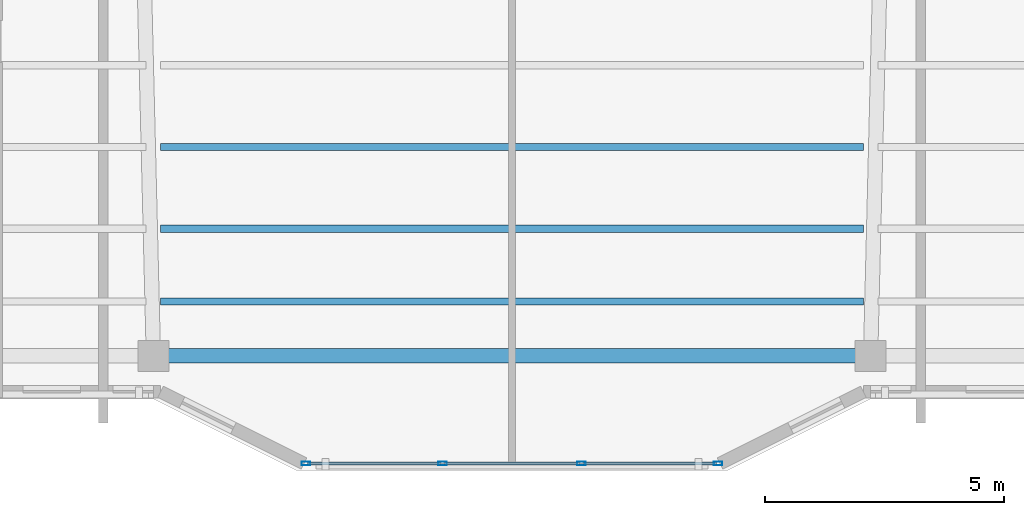
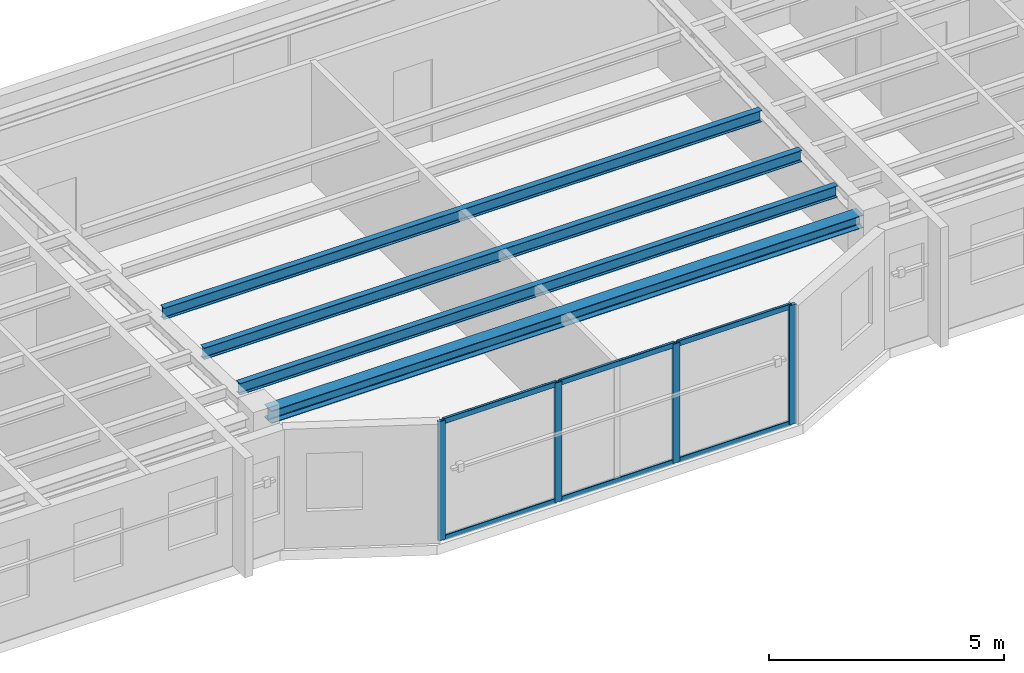
# One storey, part 2 of 14: 10 members, 4 beams, 1 element without a shape of its own.
"""IFC4 building model written with IfcOpenShell, lengths in metres."""

from ifc_helpers import new_model, si_unit, direction, frame, origin, origin_2d, place, context, subcontext, project, spatial, hollow_rectangle, i_section, extrude, material, layer, layer_set, material_profile, profile_set, type_object, element, aggregate, save


model = new_model("IFC4")

# Units and contexts
model_context = context("Model", 3, precision=1e-05, world=origin(), true_north=direction((0.0, 1.0)))
body_context = subcontext(model_context, "Body", "Model", "MODEL_VIEW")
ifc_project = project(units=[si_unit("LENGTHUNIT", "METRE"), si_unit("AREAUNIT", "SQUARE_METRE"), si_unit("VOLUMEUNIT", "CUBIC_METRE"), si_unit("PLANEANGLEUNIT", "RADIAN"), si_unit("MASSUNIT", "GRAM", prefix="KILO")], contexts=[model_context])

# Site, building, storey
site_placement = place(None, origin())
site = spatial("IfcSite", under=ifc_project, at=site_placement, CompositionType="ELEMENT")
building_placement = place(site_placement, origin())
building = spatial("IfcBuilding", under=site, at=building_placement, Name="Tarnavaz Court Tower", CompositionType="ELEMENT")
storey_placement = place(building_placement, frame((0.0, 0.0, 258.25)))
storey = spatial("IfcBuildingStorey", under=building, at=storey_placement, Name="L70", CompositionType="ELEMENT", Elevation=258.25)

# Beams
ifc_material_1 = material(Name="Steel S355", Category="steel")
ifc_material_profile_1 = material_profile(ifc_material_1, i_section(OverallWidth=0.14990234375, OverallDepth=0.300048828125, WebThickness=0.007080078125, FlangeThickness=0.0107421875, FilletRadius=0.014892578125, at=origin_2d()), Name="IPE 300")
ifc_profile_set_1 = profile_set([ifc_material_profile_1], Name="Steel S355")
beam_type_1 = type_object("IfcBeamType", Name="BM-J-IPE300", PredefinedType="JOIST", material=ifc_profile_set_1)
for number, where, z_axis, x_axis, name in (
    (1, (-7.35009765625, -15.72998046875, 2.949951171875), (1.0, 0.0, 0.0), (0.0, 1.0, 0.0), "L70 Beam JS3-2"),
    (2, (-7.35009765625, -17.43994140625, 2.949951171875), (1.0, 0.0, 0.0), (0.0, 1.0, 0.0), "L70 Beam JS4-2"),
    (3, (-7.35009765625, -18.9599609375, 2.949951171875), (1.0, 0.0, 0.0), (0.0, 1.0, 0.0), "L70 Beam JS5-2"),
):
    element("IfcBeam", number, at=place(storey_placement, frame(where, z_axis=z_axis, x_axis=x_axis)), inside=storey, type_object=beam_type_1, Name=name, PredefinedType="JOIST", context=body_context, shape_type="SweptSolid", body=[
        extrude(i_section(OverallWidth=0.14990234375, OverallDepth=0.300048828125, WebThickness=0.007080078125, FlangeThickness=0.0107421875, FilletRadius=0.014892578125, at=origin_2d()), origin(), (0.0, 0.0, 1.0), 14.7001953125),
    ])
ifc_material_profile_2 = material_profile(ifc_material_1, i_section(OverallWidth=0.300048828125, OverallDepth=0.330078125, WebThickness=0.009521484375, FlangeThickness=0.0166015625, FilletRadius=0.027099609375, at=origin_2d()), Name="HEA 340")
ifc_profile_set_2 = profile_set([ifc_material_profile_2], Name="Steel S355")
beam_type_2 = type_object("IfcBeamType", Name="BM-SP-HEA340", PredefinedType="BEAM", material=ifc_profile_set_2)
beam_placement = place(storey_placement, frame((-7.280029296875, -20.10009765625, 2.93505859375), z_axis=(1.0, 0.0, 0.0), x_axis=(0.0, 1.0, 0.0)))
element("IfcBeam", 4, at=beam_placement, inside=storey, type_object=beam_type_2, Name="L70 Beam PR-PS-2-PS-3", PredefinedType="BEAM", context=body_context, shape_type="SweptSolid", body=[
    extrude(i_section(OverallWidth=0.300048828125, OverallDepth=0.330078125, WebThickness=0.009521484375, FlangeThickness=0.0166015625, FilletRadius=0.027099609375, at=origin_2d()), origin(), (0.0, 0.0, 1.0), 14.56005859375),
])

# Curtain wall, members
ifc_material_2 = material(Name="Anodised Aluminium 6063-T6 and Solar Low-E Glazing", Category="aluminium")
ifc_layer = layer(ifc_material_2, 0.159912109375)
ifc_layer_set = layer_set([ifc_layer], Name="Anodised Aluminium 6063-T6 and Solar Low-E Glazing")
curtain_wall_type = type_object("IfcCurtainWallType", Name="CW-SYS-03", PredefinedType="NOTDEFINED", material=ifc_layer_set)
curtain_wall_placement = place(storey_placement, origin())
curtain_wall = element("IfcCurtainWall", 5, at=curtain_wall_placement, inside=storey, type_object=curtain_wall_type, Name="L70 Iwan Prow Curtain Wall 17", PredefinedType="NOTDEFINED")
ifc_material_3 = material(Name="Anodised Aluminium 6063-T6", Category="aluminium")
ifc_material_profile_3 = material_profile(ifc_material_3, hollow_rectangle(XDim=0.074951171875, YDim=0.179931640625, WallThickness=0.0048828125, InnerFilletRadius=0.0048828125, OuterFilletRadius=0.010009765625, at=origin_2d()), Name="ALU RHS 180X75X5")
ifc_profile_set_3 = profile_set([ifc_material_profile_3], Name="Anodised Aluminium 6063-T6")
member_type_1 = type_object("IfcMemberType", Name="CW-MUL-180", PredefinedType="MULLION", material=ifc_profile_set_3)
member_1_placement = place(storey_placement, frame((4.3125, -22.35009765625, 0.0), z_axis=(0.0, 0.0, 1.0), x_axis=(0.0, -1.0, 0.0)))
member_1 = element("IfcMember", 6, at=member_1_placement, type_object=member_type_1, Name="CW mullion 1", PredefinedType="MULLION", context=body_context, shape_type="SweptSolid", body=[
    extrude(hollow_rectangle(XDim=0.074951171875, YDim=0.179931640625, WallThickness=0.0048828125, InnerFilletRadius=0.0048828125, OuterFilletRadius=0.010009765625, at=origin_2d()), origin(), (0.0, 0.0, 1.0), 3.10009765625),
])
member_2_placement = place(storey_placement, frame((1.449951171875, -22.35009765625, 0.0), z_axis=(0.0, 0.0, 1.0), x_axis=(0.0, -1.0, 0.0)))
member_2 = element("IfcMember", 7, at=member_2_placement, type_object=member_type_1, Name="CW mullion 2", PredefinedType="MULLION", context=body_context, shape_type="SweptSolid", body=[
    extrude(hollow_rectangle(XDim=0.074951171875, YDim=0.179931640625, WallThickness=0.0048828125, InnerFilletRadius=0.0048828125, OuterFilletRadius=0.010009765625, at=origin_2d()), origin(), (0.0, 0.0, 1.0), 3.10009765625),
])
member_3_placement = place(storey_placement, frame((-1.449951171875, -22.35009765625, 0.0), z_axis=(0.0, 0.0, 1.0), x_axis=(0.0, -1.0, 0.0)))
member_3 = element("IfcMember", 8, at=member_3_placement, type_object=member_type_1, Name="CW mullion 3", PredefinedType="MULLION", context=body_context, shape_type="SweptSolid", body=[
    extrude(hollow_rectangle(XDim=0.074951171875, YDim=0.179931640625, WallThickness=0.0048828125, InnerFilletRadius=0.0048828125, OuterFilletRadius=0.010009765625, at=origin_2d()), origin(), (0.0, 0.0, 1.0), 3.10009765625),
])
member_4_placement = place(storey_placement, frame((-4.3125, -22.35009765625, 0.0), z_axis=(0.0, 0.0, 1.0), x_axis=(0.0, -1.0, 0.0)))
member_4 = element("IfcMember", 9, at=member_4_placement, type_object=member_type_1, Name="CW mullion 4", PredefinedType="MULLION", context=body_context, shape_type="SweptSolid", body=[
    extrude(hollow_rectangle(XDim=0.074951171875, YDim=0.179931640625, WallThickness=0.0048828125, InnerFilletRadius=0.0048828125, OuterFilletRadius=0.010009765625, at=origin_2d()), origin(), (0.0, 0.0, 1.0), 3.10009765625),
])
ifc_material_profile_4 = material_profile(ifc_material_3, hollow_rectangle(XDim=0.06494140625, YDim=0.139892578125, WallThickness=0.00390625, InnerFilletRadius=0.00390625, OuterFilletRadius=0.008056640625, at=origin_2d()), Name="ALU RHS 140X65X4")
ifc_profile_set_4 = profile_set([ifc_material_profile_4], Name="Anodised Aluminium 6063-T6")
member_type_2 = type_object("IfcMemberType", Name="CW-TRN-140", PredefinedType="USERDEFINED", material=ifc_profile_set_4)
member_5_placement = place(storey_placement, frame((4.27490234375, -22.35009765625, 0.032470703125), z_axis=(-1.0, 0.0, 0.0), x_axis=(0.0, -1.0, 0.0)))
member_5 = element("IfcMember", 10, at=member_5_placement, type_object=member_type_2, Name="CW transom 1.1", ObjectType="TRANSOM", PredefinedType="USERDEFINED", context=body_context, shape_type="SweptSolid", body=[
    extrude(hollow_rectangle(XDim=0.06494140625, YDim=0.139892578125, WallThickness=0.00390625, InnerFilletRadius=0.00390625, OuterFilletRadius=0.008056640625, at=origin_2d()), origin(), (0.0, 0.0, 1.0), 2.787353515625),
])
member_6_placement = place(storey_placement, frame((4.27490234375, -22.35009765625, 3.0673828125), z_axis=(-1.0, 0.0, 0.0), x_axis=(0.0, -1.0, 0.0)))
member_6 = element("IfcMember", 11, at=member_6_placement, type_object=member_type_2, Name="CW transom 1.2", ObjectType="TRANSOM", PredefinedType="USERDEFINED", context=body_context, shape_type="SweptSolid", body=[
    extrude(hollow_rectangle(XDim=0.06494140625, YDim=0.139892578125, WallThickness=0.00390625, InnerFilletRadius=0.00390625, OuterFilletRadius=0.008056640625, at=origin_2d()), origin(), (0.0, 0.0, 1.0), 2.787353515625),
])
member_7_placement = place(storey_placement, frame((1.41259765625, -22.35009765625, 0.032470703125), z_axis=(-1.0, 0.0, 0.0), x_axis=(0.0, -1.0, 0.0)))
member_7 = element("IfcMember", 12, at=member_7_placement, type_object=member_type_2, Name="CW transom 2.1", ObjectType="TRANSOM", PredefinedType="USERDEFINED", context=body_context, shape_type="SweptSolid", body=[
    extrude(hollow_rectangle(XDim=0.06494140625, YDim=0.139892578125, WallThickness=0.00390625, InnerFilletRadius=0.00390625, OuterFilletRadius=0.008056640625, at=origin_2d()), origin(), (0.0, 0.0, 1.0), 2.8251953125),
])
member_8_placement = place(storey_placement, frame((1.41259765625, -22.35009765625, 3.0673828125), z_axis=(-1.0, 0.0, 0.0), x_axis=(0.0, -1.0, 0.0)))
member_8 = element("IfcMember", 13, at=member_8_placement, type_object=member_type_2, Name="CW transom 2.2", ObjectType="TRANSOM", PredefinedType="USERDEFINED", context=body_context, shape_type="SweptSolid", body=[
    extrude(hollow_rectangle(XDim=0.06494140625, YDim=0.139892578125, WallThickness=0.00390625, InnerFilletRadius=0.00390625, OuterFilletRadius=0.008056640625, at=origin_2d()), origin(), (0.0, 0.0, 1.0), 2.8251953125),
])
member_9_placement = place(storey_placement, frame((-1.487548828125, -22.35009765625, 0.032470703125), z_axis=(-1.0, 0.0, 0.0), x_axis=(0.0, -1.0, 0.0)))
member_9 = element("IfcMember", 14, at=member_9_placement, type_object=member_type_2, Name="CW transom 3.1", ObjectType="TRANSOM", PredefinedType="USERDEFINED", context=body_context, shape_type="SweptSolid", body=[
    extrude(hollow_rectangle(XDim=0.06494140625, YDim=0.139892578125, WallThickness=0.00390625, InnerFilletRadius=0.00390625, OuterFilletRadius=0.008056640625, at=origin_2d()), origin(), (0.0, 0.0, 1.0), 2.787353515625),
])
member_10_placement = place(storey_placement, frame((-1.487548828125, -22.35009765625, 3.0673828125), z_axis=(-1.0, 0.0, 0.0), x_axis=(0.0, -1.0, 0.0)))
member_10 = element("IfcMember", 15, at=member_10_placement, type_object=member_type_2, Name="CW transom 3.2", ObjectType="TRANSOM", PredefinedType="USERDEFINED", context=body_context, shape_type="SweptSolid", body=[
    extrude(hollow_rectangle(XDim=0.06494140625, YDim=0.139892578125, WallThickness=0.00390625, InnerFilletRadius=0.00390625, OuterFilletRadius=0.008056640625, at=origin_2d()), origin(), (0.0, 0.0, 1.0), 2.787353515625),
])
aggregate(curtain_wall, [member_1, member_2, member_3, member_4, member_5, member_6, member_7, member_8, member_9, member_10])

save(model, "model.ifc")
